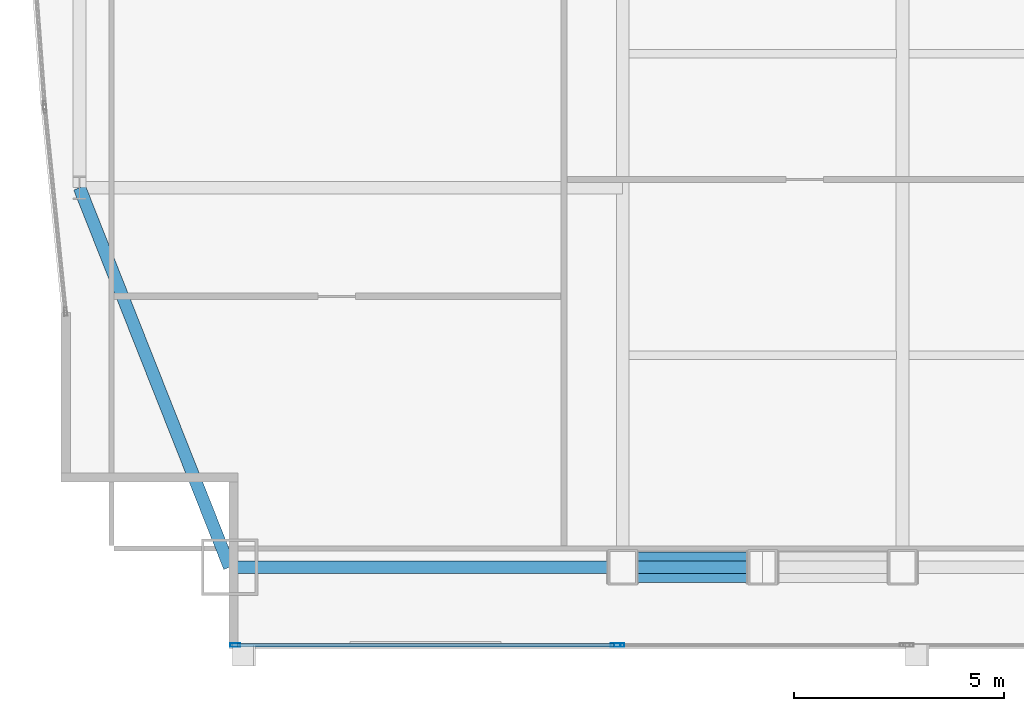
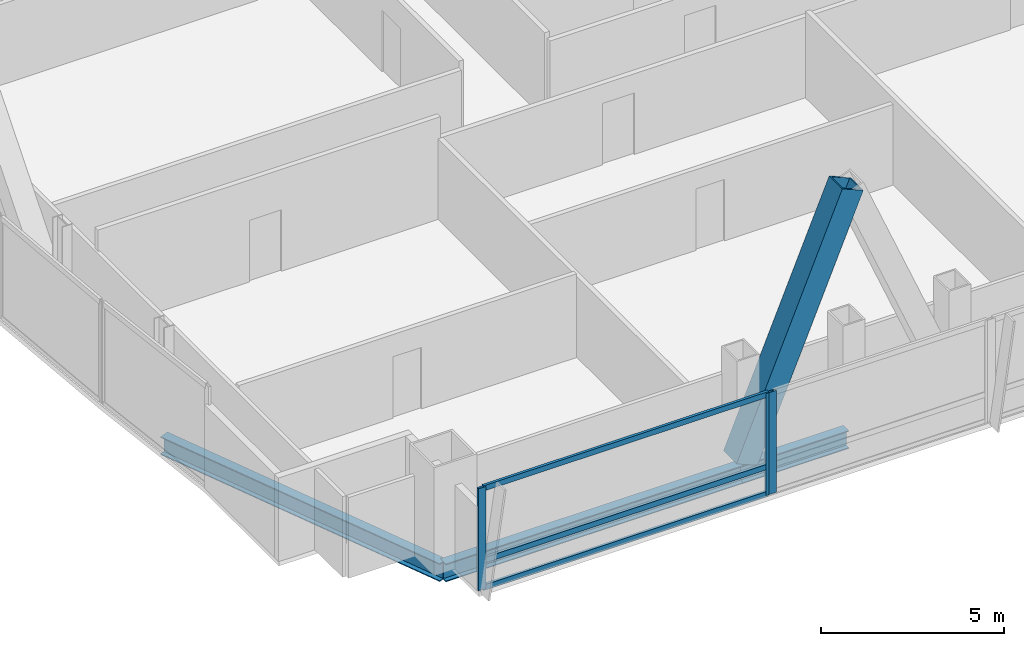
# One storey, part 5 of 29: 7 members, 3 beams, 2 elements without a shape of their own.
"""IFC4 building model written with IfcOpenShell, lengths in metres."""

from ifc_helpers import new_model, si_unit, direction, frame, origin, origin_2d, place, context, subcontext, project, spatial, hollow_rectangle, i_section, extrude, material, material_profile, profile_set, type_object, element, aggregate, save


model = new_model("IFC4")

# Units and contexts
model_context = context("Model", 3, precision=1e-05, world=origin(), true_north=direction((0.0, 1.0)))
body_context = subcontext(model_context, "Body", "Model", "MODEL_VIEW")
ifc_project = project(units=[si_unit("LENGTHUNIT", "METRE"), si_unit("AREAUNIT", "SQUARE_METRE"), si_unit("VOLUMEUNIT", "CUBIC_METRE"), si_unit("PLANEANGLEUNIT", "RADIAN"), si_unit("MASSUNIT", "GRAM", prefix="KILO")], contexts=[model_context])

# Site, building, storey
site_placement = place(None, origin())
site = spatial("IfcSite", under=ifc_project, at=site_placement, CompositionType="ELEMENT")
building_placement = place(site_placement, origin())
building = spatial("IfcBuilding", under=site, at=building_placement, Name="Khoronbel Lancet Exchange", CompositionType="ELEMENT")
storey_placement = place(building_placement, frame((0.0, 0.0, 180.60009765625)))
storey = spatial("IfcBuildingStorey", under=building, at=storey_placement, Name="L45", CompositionType="ELEMENT", Elevation=180.60009765625)

# Beams
ifc_material_1 = material(Name="Steel S355", Category="steel")
ifc_material_profile_1 = material_profile(ifc_material_1, i_section(OverallWidth=0.300048828125, OverallDepth=0.60009765625, WebThickness=0.015380859375, FlangeThickness=0.030029296875, at=origin_2d()), Name="HEB 600")
ifc_profile_set_1 = profile_set([ifc_material_profile_1], Name="Steel S355")
beam_type = type_object("IfcBeamType", Name="BM-BSP2", PredefinedType="SPANDREL", material=ifc_profile_set_1)
beam_1_placement = place(storey_placement, frame((8.85009765625, 10.14990234375, -0.460205078125), z_axis=(1.0, 0.0, 0.0), x_axis=(0.0, 1.0, 0.0)))
element("IfcBeam", 1, at=beam_1_placement, inside=storey, type_object=beam_type, Name="Level L45 perimeter spandrel beam SP01", PredefinedType="SPANDREL", context=body_context, shape_type="SweptSolid", body=[
    extrude(i_section(OverallWidth=0.300048828125, OverallDepth=0.60009765625, WebThickness=0.015380859375, FlangeThickness=0.030029296875, at=origin_2d()), origin(), (0.0, 0.0, 1.0), 9.375),
])
beam_2_placement = place(storey_placement, frame((18.22509765625, 10.14990234375, -0.460205078125), z_axis=(1.0, 0.0, 0.0), x_axis=(0.0, 1.0, 0.0)))
element("IfcBeam", 2, at=beam_2_placement, inside=storey, type_object=beam_type, Name="Level L45 perimeter spandrel beam SP02", PredefinedType="SPANDREL", context=body_context, shape_type="SweptSolid", body=[
    extrude(i_section(OverallWidth=0.300048828125, OverallDepth=0.60009765625, WebThickness=0.015380859375, FlangeThickness=0.030029296875, at=origin_2d()), origin(), (0.0, 0.0, 1.0), 3.33740234375),
])
beam_3_placement = place(storey_placement, frame((5.27001953125, 19.199951171875, -0.460205078125), z_axis=(0.367850095026, -0.92988510451, 0.0), x_axis=(0.92988510451, 0.367850095026, 0.0)))
element("IfcBeam", 3, at=beam_3_placement, inside=storey, type_object=beam_type, Name="Level L45 perimeter spandrel beam SP21", PredefinedType="SPANDREL", context=body_context, shape_type="SweptSolid", body=[
    extrude(i_section(OverallWidth=0.300048828125, OverallDepth=0.60009765625, WebThickness=0.015380859375, FlangeThickness=0.030029296875, at=origin_2d()), origin(), (0.0, 0.0, 1.0), 9.732421875),
])

# Curtain wall, members
ifc_material_2 = material(Name="Low-E Solar Control Insulating Glass", Category="glass")
curtain_wall_type = type_object("IfcCurtainWallType", Name="CW-3", PredefinedType="NOTDEFINED", material=ifc_material_2)
curtain_wall_1_placement = place(storey_placement, origin())
curtain_wall_1 = element("IfcCurtainWall", 4, at=curtain_wall_1_placement, inside=storey, type_object=curtain_wall_type, Name="Unitised curtain wall CW-L45-SWV", PredefinedType="NOTDEFINED")
ifc_material_3 = material(Name="Bronze-Anodised Aluminium 6063-T6", Category="aluminium")
ifc_material_profile_2 = material_profile(ifc_material_3, hollow_rectangle(XDim=0.0849609375, YDim=0.239990234375, WallThickness=0.006103515625, at=origin_2d()), Name="ALU MULLION 85x240")
ifc_profile_set_2 = profile_set([ifc_material_profile_2], Name="Bronze-Anodised Aluminium 6063-T6")
member_type_1 = type_object("IfcMemberType", Name="MEM-CWM1", PredefinedType="MULLION", material=ifc_profile_set_2)
member_1_placement = place(storey_placement, frame((8.982421875, 8.2900390625, 0.0), z_axis=(0.0, 0.0, 1.0), x_axis=(0.0, 1.0, 0.0)))
member_1 = element("IfcMember", 5, at=member_1_placement, type_object=member_type_1, Name="CW3 mullion 1", PredefinedType="MULLION", context=body_context, shape_type="SweptSolid", body=[
    extrude(hollow_rectangle(XDim=0.0849609375, YDim=0.239990234375, WallThickness=0.006103515625, at=origin_2d()), origin(), (0.0, 0.0, 1.0), 3.39990234375),
])
member_2_placement = place(storey_placement, frame((18.0576171875, 8.2900390625, 0.0), z_axis=(0.0, 0.0, 1.0), x_axis=(0.0, 1.0, 0.0)))
member_2 = element("IfcMember", 6, at=member_2_placement, type_object=member_type_1, Name="CW3 mullion 2", PredefinedType="MULLION", context=body_context, shape_type="SweptSolid", body=[
    extrude(hollow_rectangle(XDim=0.0849609375, YDim=0.239990234375, WallThickness=0.006103515625, at=origin_2d()), origin(), (0.0, 0.0, 1.0), 3.39990234375),
])

# Curtain wall, member
curtain_wall_2_placement = place(storey_placement, origin())
curtain_wall_2 = element("IfcCurtainWall", 7, at=curtain_wall_2_placement, inside=storey, type_object=curtain_wall_type, Name="Unitised curtain wall CW-L45-SWB", PredefinedType="NOTDEFINED")
member_3_placement = place(storey_placement, frame((18.142578125, 8.2900390625, 0.0), z_axis=(0.0, 0.0, 1.0), x_axis=(0.0, 1.0, 0.0)))
member_3 = element("IfcMember", 8, at=member_3_placement, type_object=member_type_1, Name="CW3 mullion 1", PredefinedType="MULLION", context=body_context, shape_type="SweptSolid", body=[
    extrude(hollow_rectangle(XDim=0.0849609375, YDim=0.239990234375, WallThickness=0.006103515625, at=origin_2d()), origin(), (0.0, 0.0, 1.0), 3.39990234375),
])
aggregate(curtain_wall_2, [member_3])

# Member
ifc_material_profile_3 = material_profile(ifc_material_3, hollow_rectangle(XDim=0.0849609375, YDim=0.179931640625, WallThickness=0.0048828125, at=origin_2d()), Name="ALU TRANSOM 85x180")
ifc_profile_set_3 = profile_set([ifc_material_profile_3], Name="Bronze-Anodised Aluminium 6063-T6")
member_type_2 = type_object("IfcMemberType", Name="MEM-CWT1", PredefinedType="USERDEFINED", material=ifc_profile_set_3)
member_4_placement = place(storey_placement, frame((9.02490234375, 8.2900390625, 0.04248046875), z_axis=(1.0, 0.0, 0.0), x_axis=(0.0, 1.0, 0.0)))
member_4 = element("IfcMember", 9, at=member_4_placement, type_object=member_type_2, Name="CW3 transom 1.1", ObjectType="TRANSOM", PredefinedType="USERDEFINED", context=body_context, shape_type="SweptSolid", body=[
    extrude(hollow_rectangle(XDim=0.0849609375, YDim=0.179931640625, WallThickness=0.0048828125, at=origin_2d()), origin(), (0.0, 0.0, 1.0), 8.989990234375),
])

member_5_placement = place(storey_placement, frame((9.02490234375, 8.2900390625, 0.949951171875), z_axis=(1.0, 0.0, 0.0), x_axis=(0.0, 1.0, 0.0)))
member_5 = element("IfcMember", 10, at=member_5_placement, type_object=member_type_2, Name="CW3 transom 1.2", ObjectType="TRANSOM", PredefinedType="USERDEFINED", context=body_context, shape_type="SweptSolid", body=[
    extrude(hollow_rectangle(XDim=0.0849609375, YDim=0.179931640625, WallThickness=0.0048828125, at=origin_2d()), origin(), (0.0, 0.0, 1.0), 8.989990234375),
])

member_6_placement = place(storey_placement, frame((9.02490234375, 8.2900390625, 3.357421875), z_axis=(1.0, 0.0, 0.0), x_axis=(0.0, 1.0, 0.0)))
member_6 = element("IfcMember", 11, at=member_6_placement, type_object=member_type_2, Name="CW3 transom 1.3", ObjectType="TRANSOM", PredefinedType="USERDEFINED", context=body_context, shape_type="SweptSolid", body=[
    extrude(hollow_rectangle(XDim=0.0849609375, YDim=0.179931640625, WallThickness=0.0048828125, at=origin_2d()), origin(), (0.0, 0.0, 1.0), 8.989990234375),
])

aggregate(curtain_wall_1, [member_1, member_2, member_4, member_5, member_6])

ifc_material_4 = material(Name="Steel S460", Category="steel")
ifc_material_profile_4 = material_profile(ifc_material_4, hollow_rectangle(XDim=0.719970703125, YDim=0.719970703125, WallThickness=0.050048828125, at=origin_2d()), Name="BOX 720x720x50")
ifc_profile_set_4 = profile_set([ifc_material_profile_4], Name="Steel S460")
member_type_3 = type_object("IfcMemberType", Name="MEM-MB2", PredefinedType="BRACE", material=ifc_profile_set_4)
member_7_placement = place(storey_placement, frame((18.22509765625, 10.14990234375, 0.0), z_axis=(0.385015324606, 0.0, 0.922910179713), x_axis=(0.0, 1.0, 0.0)))
element("IfcMember", 12, at=member_7_placement, inside=storey, type_object=member_type_3, Name="Perimeter lancet brace tier 15 S-W-L", PredefinedType="BRACE", context=body_context, shape_type="SweptSolid", body=[
    extrude(hollow_rectangle(XDim=0.719970703125, YDim=0.719970703125, WallThickness=0.050048828125, at=origin_2d()), origin(), (0.0, 0.0, 1.0), 8.668212890625),
])

save(model, "model.ifc")
